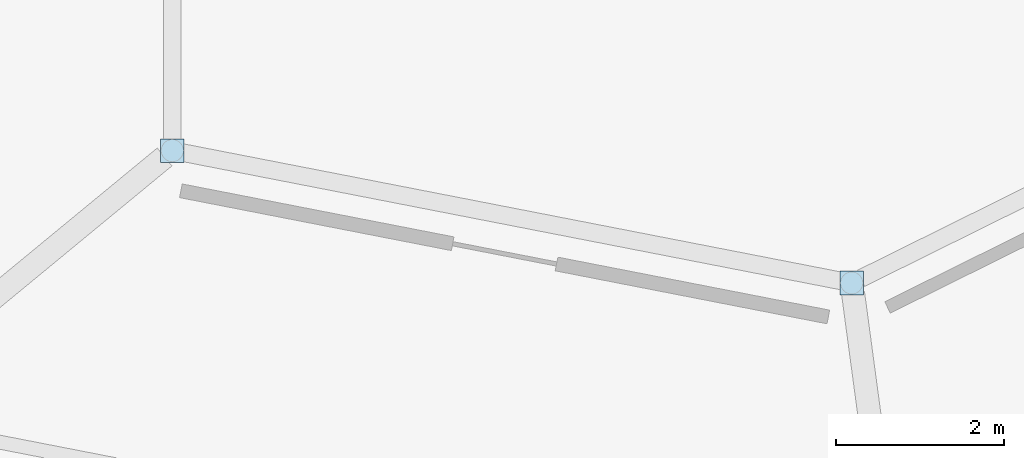
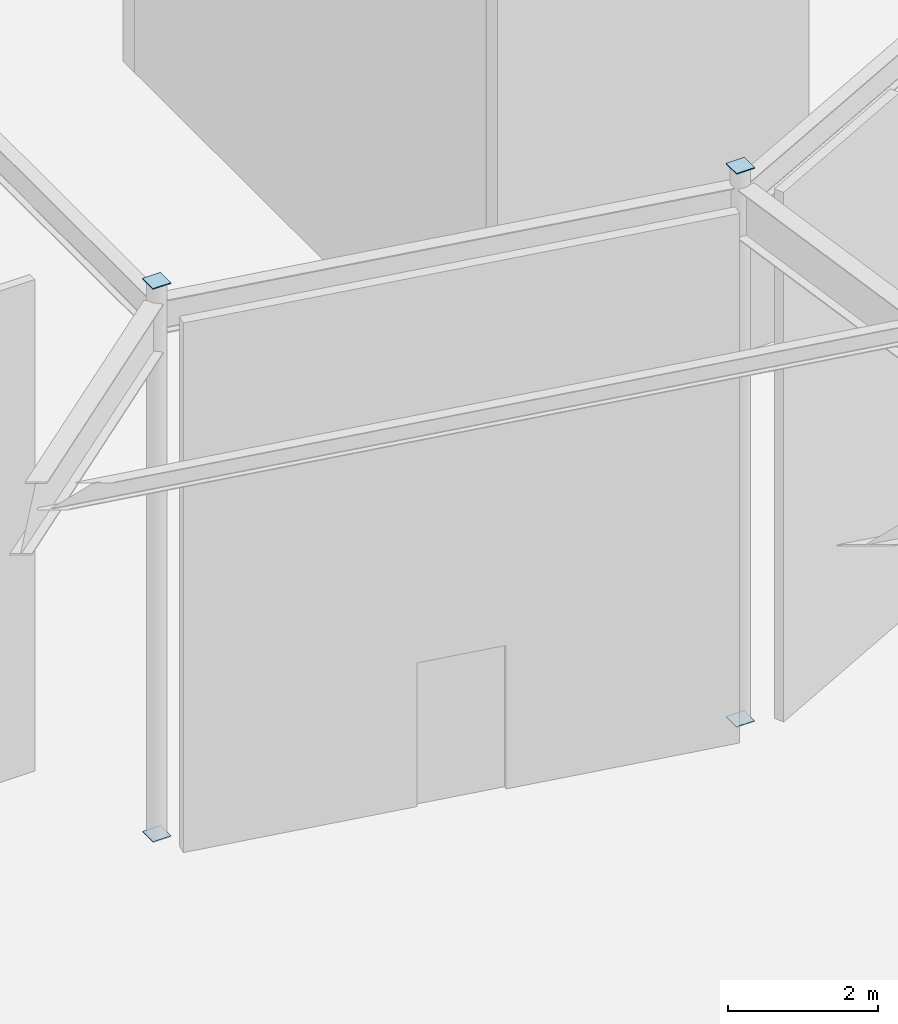
# One storey, part 32 of 48: 4 plates.
"""IFC4 building model written with IfcOpenShell, lengths in metres."""

from ifc_helpers import new_model, si_unit, direction, frame, origin, origin_2d, place, context, subcontext, project, spatial, rectangle, extrude, material, layer, layer_set, type_object, element, save


model = new_model("IFC4")

# Units and contexts
model_context = context("Model", 3, precision=1e-05, world=origin(), true_north=direction((0.0, 1.0)))
body_context = subcontext(model_context, "Body", "Model", "MODEL_VIEW")
ifc_project = project(units=[si_unit("LENGTHUNIT", "METRE"), si_unit("AREAUNIT", "SQUARE_METRE"), si_unit("VOLUMEUNIT", "CUBIC_METRE"), si_unit("PLANEANGLEUNIT", "RADIAN"), si_unit("MASSUNIT", "GRAM", prefix="KILO")], contexts=[model_context])

# Site, building, storey
site_placement = place(None, origin())
site = spatial("IfcSite", under=ifc_project, at=site_placement, CompositionType="ELEMENT")
building_placement = place(site_placement, origin())
building = spatial("IfcBuilding", under=site, at=building_placement, Name="Sarnbrook Museum", CompositionType="ELEMENT")
storey_placement = place(building_placement, frame((0.0, 0.0, 19.10009765625)))
storey = spatial("IfcBuildingStorey", under=building, at=storey_placement, Name="L04", CompositionType="ELEMENT", Elevation=19.10009765625)

# Plates
ifc_material = material(Name="Structural Steel Grade 350L0 (AS/NZS 3678, fy = 340 MPa for 20 < t <= 40 mm)", Category="steel")
ifc_layer = layer(ifc_material, 0.01611328125)
ifc_layer_set = layer_set([ifc_layer], Name="Structural Steel Grade 350L0 (AS/NZS 3678, fy = 340 MPa for 20 < t <= 40 mm)")
plate_type = type_object("IfcPlateType", Name="EndCapPlate_CAP273", PredefinedType="USERDEFINED", material=ifc_layer_set)
for number, where, z_axis, x_axis, name in (
    (1, (132.800048828125, 74.405029296875, -0.01611328125), (0.0, 0.0, 1.0), (1.0, 0.0, 0.0), "Hollow End Cap Plate COL:L04:V1R2-0-1"),
    (2, (132.800048828125, 74.405029296875, 8.999755859375), (0.0, 0.0, 1.0), (1.0, 0.0, 0.0), "Hollow End Cap Plate COL:L04:V1R2-0-2"),
    (3, (140.88720703125, 72.828857421875, -0.01611328125), (0.0, 0.0, 1.0), (1.0, 0.0, 0.0), "Hollow End Cap Plate COL:L04:V1R2-1-1"),
    (4, (140.88720703125, 72.828857421875, 8.999755859375), (0.0, 0.0, 1.0), (1.0, 0.0, 0.0), "Hollow End Cap Plate COL:L04:V1R2-1-2"),
):
    element("IfcPlate", number, at=place(storey_placement, frame(where, z_axis=z_axis, x_axis=x_axis)), inside=storey, type_object=plate_type, Name=name, ObjectType="END CAP PLATE", PredefinedType="USERDEFINED", context=body_context, shape_type="SweptSolid", body=[
        extrude(rectangle(XDim=0.280029296875, YDim=0.280029296875, at=origin_2d()), origin(), (0.0, 0.0, 1.0), 0.01611328125),
    ])

save(model, "model.ifc")
